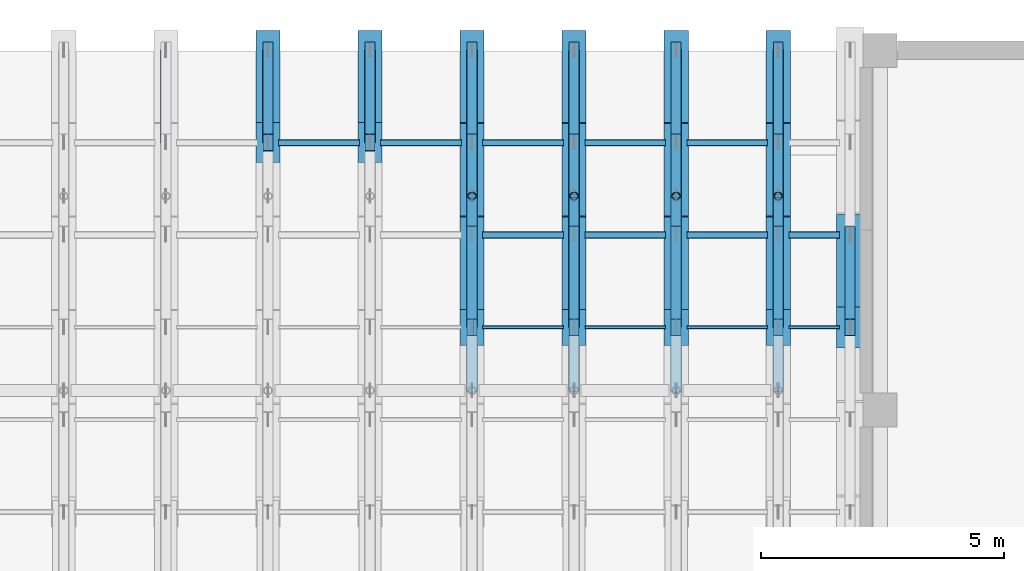
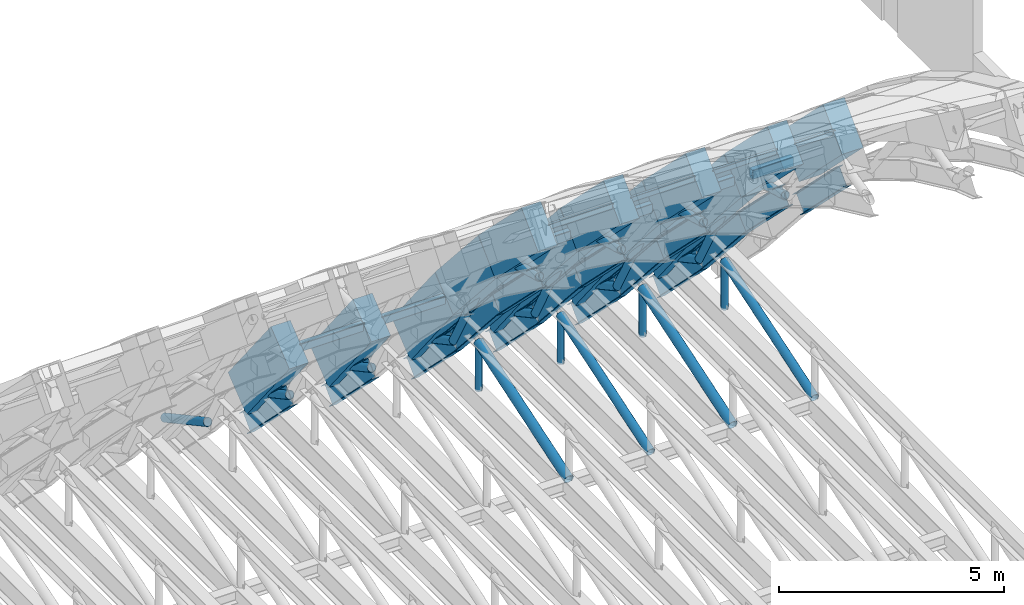
# One storey, part 48 of 67: 36 members, 30 beams.
"""IFC4 building model written with IfcOpenShell, lengths in metres."""

from ifc_helpers import new_model, si_unit, direction, frame, origin, origin_2d, place, context, subcontext, project, spatial, rectangle, hollow_rectangle, hollow_circle, i_section, extrude, material, material_profile, profile_set, type_object, element, save


model = new_model("IFC4")

# Units and contexts
model_context = context("Model", 3, precision=1e-05, world=origin(), true_north=direction((0.0, 1.0)))
body_context = subcontext(model_context, "Body", "Model", "MODEL_VIEW")
ifc_project = project(units=[si_unit("LENGTHUNIT", "METRE"), si_unit("AREAUNIT", "SQUARE_METRE"), si_unit("VOLUMEUNIT", "CUBIC_METRE"), si_unit("PLANEANGLEUNIT", "RADIAN"), si_unit("MASSUNIT", "GRAM", prefix="KILO")], contexts=[model_context])

# Site, building, storey
site_placement = place(None, origin())
site = spatial("IfcSite", under=ifc_project, at=site_placement, CompositionType="ELEMENT")
building_placement = place(site_placement, origin())
building = spatial("IfcBuilding", under=site, at=building_placement, Name="Shengluoqiao Park Theatre", CompositionType="ELEMENT")
storey_placement = place(building_placement, frame((0.0, 0.0, 28.60009765625)))
storey = spatial("IfcBuildingStorey", under=building, at=storey_placement, Name="Roof", CompositionType="ELEMENT", Elevation=28.60009765625)

# Beams
ifc_material_1 = material(Name="Concrete C50", Category="concrete")
ifc_material_profile_1 = material_profile(ifc_material_1, rectangle(XDim=0.5, YDim=1.050048828125, at=origin_2d()), Name="RC ARCH 500x1050")
ifc_profile_set_1 = profile_set([ifc_material_profile_1], Name="Concrete C50")
beam_type_1 = type_object("IfcBeamType", Name="STR-BM-AR-5010", PredefinedType="BEAM", material=ifc_profile_set_1)
for number, where, z_axis, x_axis, name in (
    (1, (73.800048828125, 112.10009765625, -7.6259765625), (0.0, 0.621631409309, -0.783309894588), (-1.0, 0.0, 0.0), "Barrel-Shell Arch Rib R15-S20"),
    (2, (75.89990234375, 112.10009765625, -7.6259765625), (0.0, 0.621631409309, -0.783309894588), (-1.0, 0.0, 0.0), "Barrel-Shell Arch Rib R16-S20"),
):
    element("IfcBeam", number, at=place(storey_placement, frame(where, z_axis=z_axis, x_axis=x_axis)), inside=storey, type_object=beam_type_1, Name=name, PredefinedType="BEAM", context=body_context, shape_type="SweptSolid", body=[
        extrude(rectangle(XDim=0.5, YDim=1.050048828125, at=origin_2d()), origin(), (0.0, 0.0, 1.0), 3.056396484375),
    ])
beam_1_placement = place(storey_placement, frame((78.0, 108.300048828125, -3.593994140625), z_axis=(0.0, 0.708926398432, -0.705282469373), x_axis=(-1.0, 0.0, 0.0)))
element("IfcBeam", 3, at=beam_1_placement, inside=storey, type_object=beam_type_1, Name="Barrel-Shell Arch Rib R17-S18", PredefinedType="BEAM", context=body_context, shape_type="SweptSolid", body=[
    extrude(rectangle(XDim=0.5, YDim=1.050048828125, at=origin_2d()), origin(), (0.0, 0.0, 1.0), 2.679931640625),
])
beam_2_placement = place(storey_placement, frame((78.0, 110.199951171875, -5.484130859375), z_axis=(0.0, 0.663638456789, -0.748053473136), x_axis=(-1.0, 0.0, 0.0)))
element("IfcBeam", 4, at=beam_2_placement, inside=storey, type_object=beam_type_1, Name="Barrel-Shell Arch Rib R17-S19", PredefinedType="BEAM", context=body_context, shape_type="SweptSolid", body=[
    extrude(rectangle(XDim=0.5, YDim=1.050048828125, at=origin_2d()), origin(), (0.0, 0.0, 1.0), 2.86328125),
])
beam_3_placement = place(storey_placement, frame((78.0, 112.10009765625, -7.6259765625), z_axis=(0.0, 0.621631409309, -0.783309894588), x_axis=(-1.0, 0.0, 0.0)))
element("IfcBeam", 5, at=beam_3_placement, inside=storey, type_object=beam_type_1, Name="Barrel-Shell Arch Rib R17-S20", PredefinedType="BEAM", context=body_context, shape_type="SweptSolid", body=[
    extrude(rectangle(XDim=0.5, YDim=1.050048828125, at=origin_2d()), origin(), (0.0, 0.0, 1.0), 3.056396484375),
])
beam_4_placement = place(storey_placement, frame((80.10009765625, 108.300048828125, -3.593994140625), z_axis=(0.0, 0.708926398432, -0.705282469373), x_axis=(-1.0, 0.0, 0.0)))
element("IfcBeam", 6, at=beam_4_placement, inside=storey, type_object=beam_type_1, Name="Barrel-Shell Arch Rib R18-S18", PredefinedType="BEAM", context=body_context, shape_type="SweptSolid", body=[
    extrude(rectangle(XDim=0.5, YDim=1.050048828125, at=origin_2d()), origin(), (0.0, 0.0, 1.0), 2.679931640625),
])
beam_5_placement = place(storey_placement, frame((80.10009765625, 110.199951171875, -5.484130859375), z_axis=(0.0, 0.663638456789, -0.748053473136), x_axis=(-1.0, 0.0, 0.0)))
element("IfcBeam", 7, at=beam_5_placement, inside=storey, type_object=beam_type_1, Name="Barrel-Shell Arch Rib R18-S19", PredefinedType="BEAM", context=body_context, shape_type="SweptSolid", body=[
    extrude(rectangle(XDim=0.5, YDim=1.050048828125, at=origin_2d()), origin(), (0.0, 0.0, 1.0), 2.86328125),
])
beam_6_placement = place(storey_placement, frame((80.10009765625, 112.10009765625, -7.6259765625), z_axis=(0.0, 0.621631409309, -0.783309894588), x_axis=(-1.0, 0.0, 0.0)))
element("IfcBeam", 8, at=beam_6_placement, inside=storey, type_object=beam_type_1, Name="Barrel-Shell Arch Rib R18-S20", PredefinedType="BEAM", context=body_context, shape_type="SweptSolid", body=[
    extrude(rectangle(XDim=0.5, YDim=1.050048828125, at=origin_2d()), origin(), (0.0, 0.0, 1.0), 3.056396484375),
])
beam_7_placement = place(storey_placement, frame((82.199951171875, 108.300048828125, -3.593994140625), z_axis=(0.0, 0.708926398432, -0.705282469373), x_axis=(-1.0, 0.0, 0.0)))
element("IfcBeam", 9, at=beam_7_placement, inside=storey, type_object=beam_type_1, Name="Barrel-Shell Arch Rib R19-S18", PredefinedType="BEAM", context=body_context, shape_type="SweptSolid", body=[
    extrude(rectangle(XDim=0.5, YDim=1.050048828125, at=origin_2d()), origin(), (0.0, 0.0, 1.0), 2.679931640625),
])
beam_8_placement = place(storey_placement, frame((82.199951171875, 110.199951171875, -5.484130859375), z_axis=(0.0, 0.663638456789, -0.748053473136), x_axis=(-1.0, 0.0, 0.0)))
element("IfcBeam", 10, at=beam_8_placement, inside=storey, type_object=beam_type_1, Name="Barrel-Shell Arch Rib R19-S19", PredefinedType="BEAM", context=body_context, shape_type="SweptSolid", body=[
    extrude(rectangle(XDim=0.5, YDim=1.050048828125, at=origin_2d()), origin(), (0.0, 0.0, 1.0), 2.86328125),
])
beam_9_placement = place(storey_placement, frame((82.199951171875, 112.10009765625, -7.6259765625), z_axis=(0.0, 0.621631409309, -0.783309894588), x_axis=(-1.0, 0.0, 0.0)))
element("IfcBeam", 11, at=beam_9_placement, inside=storey, type_object=beam_type_1, Name="Barrel-Shell Arch Rib R19-S20", PredefinedType="BEAM", context=body_context, shape_type="SweptSolid", body=[
    extrude(rectangle(XDim=0.5, YDim=1.050048828125, at=origin_2d()), origin(), (0.0, 0.0, 1.0), 3.056396484375),
])
beam_10_placement = place(storey_placement, frame((84.300048828125, 108.300048828125, -3.593994140625), z_axis=(0.0, 0.708926398432, -0.705282469373), x_axis=(-1.0, 0.0, 0.0)))
element("IfcBeam", 12, at=beam_10_placement, inside=storey, type_object=beam_type_1, Name="Barrel-Shell Arch Rib R20-S18", PredefinedType="BEAM", context=body_context, shape_type="SweptSolid", body=[
    extrude(rectangle(XDim=0.5, YDim=1.050048828125, at=origin_2d()), origin(), (0.0, 0.0, 1.0), 2.679931640625),
])
beam_11_placement = place(storey_placement, frame((84.300048828125, 110.199951171875, -5.484130859375), z_axis=(0.0, 0.663638456789, -0.748053473136), x_axis=(-1.0, 0.0, 0.0)))
element("IfcBeam", 13, at=beam_11_placement, inside=storey, type_object=beam_type_1, Name="Barrel-Shell Arch Rib R20-S19", PredefinedType="BEAM", context=body_context, shape_type="SweptSolid", body=[
    extrude(rectangle(XDim=0.5, YDim=1.050048828125, at=origin_2d()), origin(), (0.0, 0.0, 1.0), 2.86328125),
])
beam_12_placement = place(storey_placement, frame((84.300048828125, 112.10009765625, -7.6259765625), z_axis=(0.0, 0.621631409309, -0.783309894588), x_axis=(-1.0, 0.0, 0.0)))
element("IfcBeam", 14, at=beam_12_placement, inside=storey, type_object=beam_type_1, Name="Barrel-Shell Arch Rib R20-S20", PredefinedType="BEAM", context=body_context, shape_type="SweptSolid", body=[
    extrude(rectangle(XDim=0.5, YDim=1.050048828125, at=origin_2d()), origin(), (0.0, 0.0, 1.0), 3.056396484375),
])
ifc_material_profile_2 = material_profile(ifc_material_1, rectangle(XDim=0.550048828125, YDim=1.199951171875, at=origin_2d()), Name="RC ARCH 550x1200")
ifc_profile_set_2 = profile_set([ifc_material_profile_2], Name="Concrete C50")
beam_type_2 = type_object("IfcBeamType", Name="STR-BM-AR-5512", PredefinedType="BEAM", material=ifc_profile_set_2)
beam_13_placement = place(storey_placement, frame((85.780029296875, 108.300048828125, -3.593994140625), z_axis=(0.0, 0.708926398432, -0.705282469373), x_axis=(-1.0, 0.0, 0.0)))
element("IfcBeam", 15, at=beam_13_placement, inside=storey, type_object=beam_type_2, Name="Barrel-Shell Arch Rib R21-S18", PredefinedType="BEAM", context=body_context, shape_type="SweptSolid", body=[
    extrude(rectangle(XDim=0.550048828125, YDim=1.199951171875, at=origin_2d()), origin(), (0.0, 0.0, 1.0), 2.679931640625),
])
ifc_material_2 = material(Name="Steel Q355", Category="steel")
ifc_material_profile_3 = material_profile(ifc_material_2, i_section(OverallWidth=0.199951171875, OverallDepth=0.5, WebThickness=0.010009765625, FlangeThickness=0.01611328125, FilletRadius=0.01806640625, at=origin_2d()), Name="HN 500x200x10x16")
ifc_profile_set_3 = profile_set([ifc_material_profile_3], Name="Steel Q355")
beam_type_3 = type_object("IfcBeamType", Name="STR-BM-J-HN500", PredefinedType="JOIST", material=ifc_profile_set_3)
for number, where, z_axis, x_axis, name in (
    (16, (73.800048828125, 112.10009765625, -8.986083984375), (0.0, 0.708197993403, -0.706013882398), (-1.0, 0.0, 0.0), "Barrel-Shell Lower Arch Chord R15-S20"),
    (17, (75.89990234375, 112.10009765625, -8.986083984375), (0.0, 0.708197993403, -0.706013882398), (-1.0, 0.0, 0.0), "Barrel-Shell Lower Arch Chord R16-S20"),
):
    element("IfcBeam", number, at=place(storey_placement, frame(where, z_axis=z_axis, x_axis=x_axis)), inside=storey, type_object=beam_type_3, Name=name, PredefinedType="JOIST", context=body_context, shape_type="SweptSolid", body=[
        extrude(i_section(OverallWidth=0.199951171875, OverallDepth=0.5, WebThickness=0.010009765625, FlangeThickness=0.01611328125, FilletRadius=0.01806640625, at=origin_2d()), origin(), (0.0, 0.0, 1.0), 2.6826171875),
    ])
beam_14_placement = place(storey_placement, frame((78.0, 108.300048828125, -4.9541015625), z_axis=(0.0, 0.708971948389, -0.70523668112), x_axis=(-1.0, 0.0, 0.0)))
element("IfcBeam", 18, at=beam_14_placement, inside=storey, type_object=beam_type_3, Name="Barrel-Shell Lower Arch Chord R17-S18", PredefinedType="JOIST", context=body_context, shape_type="SweptSolid", body=[
    extrude(i_section(OverallWidth=0.199951171875, OverallDepth=0.5, WebThickness=0.010009765625, FlangeThickness=0.01611328125, FilletRadius=0.01806640625, at=origin_2d()), origin(), (0.0, 0.0, 1.0), 2.6796875),
])
beam_15_placement = place(storey_placement, frame((78.0, 110.199951171875, -6.843994140625), z_axis=(0.0, 0.663596128385, -0.748091022799), x_axis=(-1.0, 0.0, 0.0)))
element("IfcBeam", 19, at=beam_15_placement, inside=storey, type_object=beam_type_3, Name="Barrel-Shell Lower Arch Chord R17-S19", PredefinedType="JOIST", context=body_context, shape_type="SweptSolid", body=[
    extrude(i_section(OverallWidth=0.199951171875, OverallDepth=0.5, WebThickness=0.010009765625, FlangeThickness=0.01611328125, FilletRadius=0.01806640625, at=origin_2d()), origin(), (0.0, 0.0, 1.0), 2.863525390625),
])
beam_16_placement = place(storey_placement, frame((78.0, 112.10009765625, -8.986083984375), z_axis=(0.0, 0.708197993403, -0.706013882398), x_axis=(-1.0, 0.0, 0.0)))
element("IfcBeam", 20, at=beam_16_placement, inside=storey, type_object=beam_type_3, Name="Barrel-Shell Lower Arch Chord R17-S20", PredefinedType="JOIST", context=body_context, shape_type="SweptSolid", body=[
    extrude(i_section(OverallWidth=0.199951171875, OverallDepth=0.5, WebThickness=0.010009765625, FlangeThickness=0.01611328125, FilletRadius=0.01806640625, at=origin_2d()), origin(), (0.0, 0.0, 1.0), 2.6826171875),
])
beam_17_placement = place(storey_placement, frame((80.10009765625, 108.300048828125, -4.9541015625), z_axis=(0.0, 0.708971948389, -0.70523668112), x_axis=(-1.0, 0.0, 0.0)))
element("IfcBeam", 21, at=beam_17_placement, inside=storey, type_object=beam_type_3, Name="Barrel-Shell Lower Arch Chord R18-S18", PredefinedType="JOIST", context=body_context, shape_type="SweptSolid", body=[
    extrude(i_section(OverallWidth=0.199951171875, OverallDepth=0.5, WebThickness=0.010009765625, FlangeThickness=0.01611328125, FilletRadius=0.01806640625, at=origin_2d()), origin(), (0.0, 0.0, 1.0), 2.6796875),
])
beam_18_placement = place(storey_placement, frame((80.10009765625, 110.199951171875, -6.843994140625), z_axis=(0.0, 0.663596128385, -0.748091022799), x_axis=(-1.0, 0.0, 0.0)))
element("IfcBeam", 22, at=beam_18_placement, inside=storey, type_object=beam_type_3, Name="Barrel-Shell Lower Arch Chord R18-S19", PredefinedType="JOIST", context=body_context, shape_type="SweptSolid", body=[
    extrude(i_section(OverallWidth=0.199951171875, OverallDepth=0.5, WebThickness=0.010009765625, FlangeThickness=0.01611328125, FilletRadius=0.01806640625, at=origin_2d()), origin(), (0.0, 0.0, 1.0), 2.863525390625),
])
beam_19_placement = place(storey_placement, frame((80.10009765625, 112.10009765625, -8.986083984375), z_axis=(0.0, 0.708197993403, -0.706013882398), x_axis=(-1.0, 0.0, 0.0)))
element("IfcBeam", 23, at=beam_19_placement, inside=storey, type_object=beam_type_3, Name="Barrel-Shell Lower Arch Chord R18-S20", PredefinedType="JOIST", context=body_context, shape_type="SweptSolid", body=[
    extrude(i_section(OverallWidth=0.199951171875, OverallDepth=0.5, WebThickness=0.010009765625, FlangeThickness=0.01611328125, FilletRadius=0.01806640625, at=origin_2d()), origin(), (0.0, 0.0, 1.0), 2.6826171875),
])
beam_20_placement = place(storey_placement, frame((82.199951171875, 108.300048828125, -4.9541015625), z_axis=(0.0, 0.708971948389, -0.70523668112), x_axis=(-1.0, 0.0, 0.0)))
element("IfcBeam", 24, at=beam_20_placement, inside=storey, type_object=beam_type_3, Name="Barrel-Shell Lower Arch Chord R19-S18", PredefinedType="JOIST", context=body_context, shape_type="SweptSolid", body=[
    extrude(i_section(OverallWidth=0.199951171875, OverallDepth=0.5, WebThickness=0.010009765625, FlangeThickness=0.01611328125, FilletRadius=0.01806640625, at=origin_2d()), origin(), (0.0, 0.0, 1.0), 2.6796875),
])
beam_21_placement = place(storey_placement, frame((82.199951171875, 110.199951171875, -6.843994140625), z_axis=(0.0, 0.663596128385, -0.748091022799), x_axis=(-1.0, 0.0, 0.0)))
element("IfcBeam", 25, at=beam_21_placement, inside=storey, type_object=beam_type_3, Name="Barrel-Shell Lower Arch Chord R19-S19", PredefinedType="JOIST", context=body_context, shape_type="SweptSolid", body=[
    extrude(i_section(OverallWidth=0.199951171875, OverallDepth=0.5, WebThickness=0.010009765625, FlangeThickness=0.01611328125, FilletRadius=0.01806640625, at=origin_2d()), origin(), (0.0, 0.0, 1.0), 2.863525390625),
])
beam_22_placement = place(storey_placement, frame((82.199951171875, 112.10009765625, -8.986083984375), z_axis=(0.0, 0.708197993403, -0.706013882398), x_axis=(-1.0, 0.0, 0.0)))
element("IfcBeam", 26, at=beam_22_placement, inside=storey, type_object=beam_type_3, Name="Barrel-Shell Lower Arch Chord R19-S20", PredefinedType="JOIST", context=body_context, shape_type="SweptSolid", body=[
    extrude(i_section(OverallWidth=0.199951171875, OverallDepth=0.5, WebThickness=0.010009765625, FlangeThickness=0.01611328125, FilletRadius=0.01806640625, at=origin_2d()), origin(), (0.0, 0.0, 1.0), 2.6826171875),
])
beam_23_placement = place(storey_placement, frame((84.300048828125, 108.300048828125, -4.9541015625), z_axis=(0.0, 0.708971948389, -0.70523668112), x_axis=(-1.0, 0.0, 0.0)))
element("IfcBeam", 27, at=beam_23_placement, inside=storey, type_object=beam_type_3, Name="Barrel-Shell Lower Arch Chord R20-S18", PredefinedType="JOIST", context=body_context, shape_type="SweptSolid", body=[
    extrude(i_section(OverallWidth=0.199951171875, OverallDepth=0.5, WebThickness=0.010009765625, FlangeThickness=0.01611328125, FilletRadius=0.01806640625, at=origin_2d()), origin(), (0.0, 0.0, 1.0), 2.6796875),
])
beam_24_placement = place(storey_placement, frame((84.300048828125, 110.199951171875, -6.843994140625), z_axis=(0.0, 0.663596128385, -0.748091022799), x_axis=(-1.0, 0.0, 0.0)))
element("IfcBeam", 28, at=beam_24_placement, inside=storey, type_object=beam_type_3, Name="Barrel-Shell Lower Arch Chord R20-S19", PredefinedType="JOIST", context=body_context, shape_type="SweptSolid", body=[
    extrude(i_section(OverallWidth=0.199951171875, OverallDepth=0.5, WebThickness=0.010009765625, FlangeThickness=0.01611328125, FilletRadius=0.01806640625, at=origin_2d()), origin(), (0.0, 0.0, 1.0), 2.863525390625),
])
beam_25_placement = place(storey_placement, frame((84.300048828125, 112.10009765625, -8.986083984375), z_axis=(0.0, 0.708197993403, -0.706013882398), x_axis=(-1.0, 0.0, 0.0)))
element("IfcBeam", 29, at=beam_25_placement, inside=storey, type_object=beam_type_3, Name="Barrel-Shell Lower Arch Chord R20-S20", PredefinedType="JOIST", context=body_context, shape_type="SweptSolid", body=[
    extrude(i_section(OverallWidth=0.199951171875, OverallDepth=0.5, WebThickness=0.010009765625, FlangeThickness=0.01611328125, FilletRadius=0.01806640625, at=origin_2d()), origin(), (0.0, 0.0, 1.0), 2.6826171875),
])
beam_26_placement = place(storey_placement, frame((85.780029296875, 108.300048828125, -4.9541015625), z_axis=(0.0, 0.708971948389, -0.70523668112), x_axis=(-1.0, 0.0, 0.0)))
element("IfcBeam", 30, at=beam_26_placement, inside=storey, type_object=beam_type_3, Name="Barrel-Shell Lower Arch Chord R21-S18", PredefinedType="JOIST", context=body_context, shape_type="SweptSolid", body=[
    extrude(i_section(OverallWidth=0.199951171875, OverallDepth=0.5, WebThickness=0.010009765625, FlangeThickness=0.01611328125, FilletRadius=0.01806640625, at=origin_2d()), origin(), (0.0, 0.0, 1.0), 2.6796875),
])

# Members
ifc_material_profile_4 = material_profile(ifc_material_2, hollow_circle(Radius=0.109619140625, WallThickness=0.010009765625, at=origin_2d()), Name="CHS 219x10")
ifc_profile_set_4 = profile_set([ifc_material_profile_4], Name="Steel Q355")
member_type_1 = type_object("IfcMemberType", Name="STR-MEM-BRC-219", PredefinedType="BRACE", material=ifc_profile_set_4)
for number, where, z_axis, x_axis, name in (
    (31, (71.699951171875, 112.10009765625, -8.986083984375), (0.0, 0.878356711208, -0.478005740422), (-1.0, 0.0, 0.0), "Barrel-Shell Arch Truss Web 0280"),
    (32, (73.800048828125, 112.10009765625, -8.986083984375), (0.0, 0.878356711208, -0.478005740422), (-1.0, 0.0, 0.0), "Barrel-Shell Arch Truss Web 0300"),
    (33, (75.89990234375, 112.10009765625, -8.986083984375), (0.0, 0.878356711208, -0.478005740422), (-1.0, 0.0, 0.0), "Barrel-Shell Arch Truss Web 0320"),
):
    element("IfcMember", number, at=place(storey_placement, frame(where, z_axis=z_axis, x_axis=x_axis)), inside=storey, type_object=member_type_1, Name=name, PredefinedType="BRACE", context=body_context, shape_type="SweptSolid", body=[
        extrude(hollow_circle(Radius=0.109619140625, WallThickness=0.010009765625, at=origin_2d()), origin(), (0.0, 0.0, 1.0), 2.1630859375),
    ])
member_1_placement = place(storey_placement, frame((78.0, 108.300048828125, -4.9541015625), z_axis=(0.0, 0.963219400843, -0.268716180831), x_axis=(-1.0, 0.0, 0.0)))
element("IfcMember", 34, at=member_1_placement, inside=storey, type_object=member_type_1, Name="Barrel-Shell Arch Truss Web 0338", PredefinedType="BRACE", context=body_context, shape_type="SweptSolid", body=[
    extrude(hollow_circle(Radius=0.109619140625, WallThickness=0.010009765625, at=origin_2d()), origin(), (0.0, 0.0, 1.0), 1.972412109375),
])
member_2_placement = place(storey_placement, frame((78.0, 110.199951171875, -5.484130859375), z_axis=(0.0, 0.476914707828, -0.87894957845), x_axis=(-1.0, 0.0, 0.0)))
element("IfcMember", 35, at=member_2_placement, inside=storey, type_object=member_type_1, Name="Barrel-Shell Arch Truss Web 0339", PredefinedType="BRACE", context=body_context, shape_type="SweptSolid", body=[
    extrude(hollow_circle(Radius=0.109619140625, WallThickness=0.010009765625, at=origin_2d()), origin(), (0.0, 0.0, 1.0), 3.984130859375),
])
member_3_placement = place(storey_placement, frame((78.0, 112.10009765625, -8.986083984375), z_axis=(0.0, 0.878356711208, -0.478005740422), x_axis=(-1.0, 0.0, 0.0)))
element("IfcMember", 36, at=member_3_placement, inside=storey, type_object=member_type_1, Name="Barrel-Shell Arch Truss Web 0340", PredefinedType="BRACE", context=body_context, shape_type="SweptSolid", body=[
    extrude(hollow_circle(Radius=0.109619140625, WallThickness=0.010009765625, at=origin_2d()), origin(), (0.0, 0.0, 1.0), 2.1630859375),
])
member_4_placement = place(storey_placement, frame((80.10009765625, 108.300048828125, -4.9541015625), z_axis=(0.0, 0.963219400843, -0.268716180831), x_axis=(-1.0, 0.0, 0.0)))
element("IfcMember", 37, at=member_4_placement, inside=storey, type_object=member_type_1, Name="Barrel-Shell Arch Truss Web 0358", PredefinedType="BRACE", context=body_context, shape_type="SweptSolid", body=[
    extrude(hollow_circle(Radius=0.109619140625, WallThickness=0.010009765625, at=origin_2d()), origin(), (0.0, 0.0, 1.0), 1.972412109375),
])
member_5_placement = place(storey_placement, frame((80.10009765625, 110.199951171875, -5.484130859375), z_axis=(0.0, 0.476914707828, -0.87894957845), x_axis=(-1.0, 0.0, 0.0)))
element("IfcMember", 38, at=member_5_placement, inside=storey, type_object=member_type_1, Name="Barrel-Shell Arch Truss Web 0359", PredefinedType="BRACE", context=body_context, shape_type="SweptSolid", body=[
    extrude(hollow_circle(Radius=0.109619140625, WallThickness=0.010009765625, at=origin_2d()), origin(), (0.0, 0.0, 1.0), 3.984130859375),
])
member_6_placement = place(storey_placement, frame((80.10009765625, 112.10009765625, -8.986083984375), z_axis=(0.0, 0.878356711208, -0.478005740422), x_axis=(-1.0, 0.0, 0.0)))
element("IfcMember", 39, at=member_6_placement, inside=storey, type_object=member_type_1, Name="Barrel-Shell Arch Truss Web 0360", PredefinedType="BRACE", context=body_context, shape_type="SweptSolid", body=[
    extrude(hollow_circle(Radius=0.109619140625, WallThickness=0.010009765625, at=origin_2d()), origin(), (0.0, 0.0, 1.0), 2.1630859375),
])
member_7_placement = place(storey_placement, frame((82.199951171875, 108.300048828125, -4.9541015625), z_axis=(0.0, 0.963219400843, -0.268716180831), x_axis=(-1.0, 0.0, 0.0)))
element("IfcMember", 40, at=member_7_placement, inside=storey, type_object=member_type_1, Name="Barrel-Shell Arch Truss Web 0378", PredefinedType="BRACE", context=body_context, shape_type="SweptSolid", body=[
    extrude(hollow_circle(Radius=0.109619140625, WallThickness=0.010009765625, at=origin_2d()), origin(), (0.0, 0.0, 1.0), 1.972412109375),
])
member_8_placement = place(storey_placement, frame((82.199951171875, 110.199951171875, -5.484130859375), z_axis=(0.0, 0.476914707828, -0.87894957845), x_axis=(-1.0, 0.0, 0.0)))
element("IfcMember", 41, at=member_8_placement, inside=storey, type_object=member_type_1, Name="Barrel-Shell Arch Truss Web 0379", PredefinedType="BRACE", context=body_context, shape_type="SweptSolid", body=[
    extrude(hollow_circle(Radius=0.109619140625, WallThickness=0.010009765625, at=origin_2d()), origin(), (0.0, 0.0, 1.0), 3.984130859375),
])
member_9_placement = place(storey_placement, frame((82.199951171875, 112.10009765625, -8.986083984375), z_axis=(0.0, 0.878356711208, -0.478005740422), x_axis=(-1.0, 0.0, 0.0)))
element("IfcMember", 42, at=member_9_placement, inside=storey, type_object=member_type_1, Name="Barrel-Shell Arch Truss Web 0380", PredefinedType="BRACE", context=body_context, shape_type="SweptSolid", body=[
    extrude(hollow_circle(Radius=0.109619140625, WallThickness=0.010009765625, at=origin_2d()), origin(), (0.0, 0.0, 1.0), 2.1630859375),
])
member_10_placement = place(storey_placement, frame((84.300048828125, 108.300048828125, -4.9541015625), z_axis=(0.0, 0.963219400843, -0.268716180831), x_axis=(-1.0, 0.0, 0.0)))
element("IfcMember", 43, at=member_10_placement, inside=storey, type_object=member_type_1, Name="Barrel-Shell Arch Truss Web 0398", PredefinedType="BRACE", context=body_context, shape_type="SweptSolid", body=[
    extrude(hollow_circle(Radius=0.109619140625, WallThickness=0.010009765625, at=origin_2d()), origin(), (0.0, 0.0, 1.0), 1.972412109375),
])
member_11_placement = place(storey_placement, frame((84.300048828125, 110.199951171875, -5.484130859375), z_axis=(0.0, 0.476914707828, -0.87894957845), x_axis=(-1.0, 0.0, 0.0)))
element("IfcMember", 44, at=member_11_placement, inside=storey, type_object=member_type_1, Name="Barrel-Shell Arch Truss Web 0399", PredefinedType="BRACE", context=body_context, shape_type="SweptSolid", body=[
    extrude(hollow_circle(Radius=0.109619140625, WallThickness=0.010009765625, at=origin_2d()), origin(), (0.0, 0.0, 1.0), 3.984130859375),
])
member_12_placement = place(storey_placement, frame((84.300048828125, 112.10009765625, -8.986083984375), z_axis=(0.0, 0.878356711208, -0.478005740422), x_axis=(-1.0, 0.0, 0.0)))
element("IfcMember", 45, at=member_12_placement, inside=storey, type_object=member_type_1, Name="Barrel-Shell Arch Truss Web 0400", PredefinedType="BRACE", context=body_context, shape_type="SweptSolid", body=[
    extrude(hollow_circle(Radius=0.109619140625, WallThickness=0.010009765625, at=origin_2d()), origin(), (0.0, 0.0, 1.0), 2.1630859375),
])
for number, where, z_axis, x_axis, name in (
    (46, (80.10009765625, 107.0, -9.650146484375), (0.0, 0.951030656115, 0.309096572498), (-1.0, 0.0, 0.0), "Acoustic Tie Truss Diagonal 0153"),
    (47, (84.300048828125, 107.0, -9.650146484375), (0.0, 0.951030656115, 0.309096572498), (-1.0, 0.0, 0.0), "Acoustic Tie Truss Diagonal 0187"),
):
    element("IfcMember", number, at=place(storey_placement, frame(where, z_axis=z_axis, x_axis=x_axis)), inside=storey, type_object=member_type_1, Name=name, PredefinedType="BRACE", context=body_context, shape_type="SweptSolid", body=[
        extrude(hollow_circle(Radius=0.109619140625, WallThickness=0.010009765625, at=origin_2d()), origin(), (0.0, 0.0, 1.0), 4.2060546875),
    ])
ifc_material_profile_5 = material_profile(ifc_material_2, hollow_circle(Radius=0.12255859375, WallThickness=0.010009765625, at=origin_2d()), Name="CHS 245x10")
ifc_profile_set_5 = profile_set([ifc_material_profile_5], Name="Steel Q355")
member_type_2 = type_object("IfcMemberType", Name="STR-MEM-BRC-245", PredefinedType="BRACE", material=ifc_profile_set_5)
for number, where, z_axis, x_axis, name in (
    (48, (78.0, 107.0, -9.650146484375), (0.0, 0.951030656115, 0.309096572498), (-1.0, 0.0, 0.0), "Acoustic Tie Truss Diagonal 0136"),
    (49, (82.199951171875, 107.0, -9.650146484375), (0.0, 0.951030656115, 0.309096572498), (-1.0, 0.0, 0.0), "Acoustic Tie Truss Diagonal 0170"),
):
    element("IfcMember", number, at=place(storey_placement, frame(where, z_axis=z_axis, x_axis=x_axis)), inside=storey, type_object=member_type_2, Name=name, PredefinedType="BRACE", context=body_context, shape_type="SweptSolid", body=[
        extrude(hollow_circle(Radius=0.12255859375, WallThickness=0.010009765625, at=origin_2d()), origin(), (0.0, 0.0, 1.0), 4.2060546875),
    ])
ifc_material_profile_6 = material_profile(ifc_material_2, hollow_rectangle(XDim=0.070068359375, YDim=0.139892578125, WallThickness=0.006103515625, InnerFilletRadius=0.006103515625, OuterFilletRadius=0.011962890625, at=origin_2d()), Name="RHS 140x70x6")
ifc_profile_set_6 = profile_set([ifc_material_profile_6], Name="Steel Q355")
member_type_3 = type_object("IfcMemberType", Name="STR-MEM-PU-R140", PredefinedType="PURLIN", material=ifc_profile_set_6)
for number, where, z_axis, x_axis, name in (
    (50, (78.219970703125, 108.300048828125, -3.674072265625), (1.0, 0.0, 0.0), (0.0, 1.0, 0.0), "Shell Longitudinal Purlin 0321"),
    (51, (80.320068359375, 108.300048828125, -3.674072265625), (1.0, 0.0, 0.0), (0.0, 1.0, 0.0), "Shell Longitudinal Purlin 0340"),
):
    element("IfcMember", number, at=place(storey_placement, frame(where, z_axis=z_axis, x_axis=x_axis)), inside=storey, type_object=member_type_3, Name=name, PredefinedType="PURLIN", context=body_context, shape_type="SweptSolid", body=[
        extrude(hollow_rectangle(XDim=0.070068359375, YDim=0.139892578125, WallThickness=0.006103515625, InnerFilletRadius=0.006103515625, OuterFilletRadius=0.011962890625, at=origin_2d()), origin(), (0.0, 0.0, 1.0), 1.659912109375),
    ])
member_13_placement = place(storey_placement, frame((82.419921875, 108.300048828125, -3.674072265625), z_axis=(1.0, 0.0, 0.0), x_axis=(0.0, 1.0, 0.0)))
element("IfcMember", 52, at=member_13_placement, inside=storey, type_object=member_type_3, Name="Shell Longitudinal Purlin 0359", PredefinedType="PURLIN", context=body_context, shape_type="SweptSolid", body=[
    extrude(hollow_rectangle(XDim=0.070068359375, YDim=0.139892578125, WallThickness=0.006103515625, InnerFilletRadius=0.006103515625, OuterFilletRadius=0.011962890625, at=origin_2d()), origin(), (0.0, 0.0, 1.0), 1.66015625),
])
member_14_placement = place(storey_placement, frame((84.52001953125, 108.300048828125, -3.674072265625), z_axis=(1.0, 0.0, 0.0), x_axis=(0.0, 1.0, 0.0)))
element("IfcMember", 53, at=member_14_placement, inside=storey, type_object=member_type_3, Name="Shell Longitudinal Purlin 0378", PredefinedType="PURLIN", context=body_context, shape_type="SweptSolid", body=[
    extrude(hollow_rectangle(XDim=0.070068359375, YDim=0.139892578125, WallThickness=0.006103515625, InnerFilletRadius=0.006103515625, OuterFilletRadius=0.011962890625, at=origin_2d()), origin(), (0.0, 0.0, 1.0), 1.0400390625),
])
ifc_material_profile_7 = material_profile(ifc_material_2, hollow_rectangle(XDim=0.139892578125, YDim=0.219970703125, WallThickness=0.010009765625, InnerFilletRadius=0.010009765625, OuterFilletRadius=0.02001953125, at=origin_2d()), Name="RHS 220x140x10")
ifc_profile_set_7 = profile_set([ifc_material_profile_7], Name="Steel Q355")
member_type_4 = type_object("IfcMemberType", Name="STR-MEM-PU-R220", PredefinedType="PURLIN", material=ifc_profile_set_7)
for number, where, z_axis, x_axis, name in (
    (54, (74.02001953125, 112.10009765625, -7.76611328125), (1.0, 0.0, 0.0), (0.0, 1.0, 0.0), "Shell Longitudinal Purlin 0285"),
    (55, (76.1201171875, 112.10009765625, -7.76611328125), (1.0, 0.0, 0.0), (0.0, 1.0, 0.0), "Shell Longitudinal Purlin 0304"),
    (56, (78.219970703125, 112.10009765625, -7.76611328125), (1.0, 0.0, 0.0), (0.0, 1.0, 0.0), "Shell Longitudinal Purlin 0323"),
    (57, (80.320068359375, 112.10009765625, -7.76611328125), (1.0, 0.0, 0.0), (0.0, 1.0, 0.0), "Shell Longitudinal Purlin 0342"),
):
    element("IfcMember", number, at=place(storey_placement, frame(where, z_axis=z_axis, x_axis=x_axis)), inside=storey, type_object=member_type_4, Name=name, PredefinedType="PURLIN", context=body_context, shape_type="SweptSolid", body=[
        extrude(hollow_rectangle(XDim=0.139892578125, YDim=0.219970703125, WallThickness=0.010009765625, InnerFilletRadius=0.010009765625, OuterFilletRadius=0.02001953125, at=origin_2d()), origin(), (0.0, 0.0, 1.0), 1.659912109375),
    ])
member_15_placement = place(storey_placement, frame((82.419921875, 112.10009765625, -7.76611328125), z_axis=(1.0, 0.0, 0.0), x_axis=(0.0, 1.0, 0.0)))
element("IfcMember", 58, at=member_15_placement, inside=storey, type_object=member_type_4, Name="Shell Longitudinal Purlin 0361", PredefinedType="PURLIN", context=body_context, shape_type="SweptSolid", body=[
    extrude(hollow_rectangle(XDim=0.139892578125, YDim=0.219970703125, WallThickness=0.010009765625, InnerFilletRadius=0.010009765625, OuterFilletRadius=0.02001953125, at=origin_2d()), origin(), (0.0, 0.0, 1.0), 1.66015625),
])
ifc_material_profile_8 = material_profile(ifc_material_2, hollow_rectangle(XDim=0.14990234375, YDim=0.25, WallThickness=0.010009765625, InnerFilletRadius=0.010009765625, OuterFilletRadius=0.02001953125, at=origin_2d()), Name="RHS 250x150x10")
ifc_profile_set_8 = profile_set([ifc_material_profile_8], Name="Steel Q355")
member_type_5 = type_object("IfcMemberType", Name="STR-MEM-PU-R250", PredefinedType="PURLIN", material=ifc_profile_set_8)
for number, where, z_axis, x_axis, name in (
    (59, (78.219970703125, 110.199951171875, -5.593994140625), (1.0, 0.0, 0.0), (0.0, 1.0, 0.0), "Shell Longitudinal Purlin 0322"),
    (60, (80.320068359375, 110.199951171875, -5.593994140625), (1.0, 0.0, 0.0), (0.0, 1.0, 0.0), "Shell Longitudinal Purlin 0341"),
):
    element("IfcMember", number, at=place(storey_placement, frame(where, z_axis=z_axis, x_axis=x_axis)), inside=storey, type_object=member_type_5, Name=name, PredefinedType="PURLIN", context=body_context, shape_type="SweptSolid", body=[
        extrude(hollow_rectangle(XDim=0.14990234375, YDim=0.25, WallThickness=0.010009765625, InnerFilletRadius=0.010009765625, OuterFilletRadius=0.02001953125, at=origin_2d()), origin(), (0.0, 0.0, 1.0), 1.659912109375),
    ])
member_16_placement = place(storey_placement, frame((82.419921875, 110.199951171875, -5.593994140625), z_axis=(1.0, 0.0, 0.0), x_axis=(0.0, 1.0, 0.0)))
element("IfcMember", 61, at=member_16_placement, inside=storey, type_object=member_type_5, Name="Shell Longitudinal Purlin 0360", PredefinedType="PURLIN", context=body_context, shape_type="SweptSolid", body=[
    extrude(hollow_rectangle(XDim=0.14990234375, YDim=0.25, WallThickness=0.010009765625, InnerFilletRadius=0.010009765625, OuterFilletRadius=0.02001953125, at=origin_2d()), origin(), (0.0, 0.0, 1.0), 1.66015625),
])
member_17_placement = place(storey_placement, frame((84.52001953125, 110.199951171875, -5.593994140625), z_axis=(1.0, 0.0, 0.0), x_axis=(0.0, 1.0, 0.0)))
element("IfcMember", 62, at=member_17_placement, inside=storey, type_object=member_type_5, Name="Shell Longitudinal Purlin 0379", PredefinedType="PURLIN", context=body_context, shape_type="SweptSolid", body=[
    extrude(hollow_rectangle(XDim=0.14990234375, YDim=0.25, WallThickness=0.010009765625, InnerFilletRadius=0.010009765625, OuterFilletRadius=0.02001953125, at=origin_2d()), origin(), (0.0, 0.0, 1.0), 1.0400390625),
])
ifc_material_profile_9 = material_profile(ifc_material_2, hollow_circle(Radius=0.083984375, WallThickness=0.008056640625, at=origin_2d()), Name="CHS 168x8")
ifc_profile_set_9 = profile_set([ifc_material_profile_9], Name="Steel Q355")
member_type_6 = type_object("IfcMemberType", Name="STR-MEM-STC-168", PredefinedType="STRUT", material=ifc_profile_set_9)
for number, where, z_axis, x_axis, name in (
    (63, (78.0, 111.0, -9.650146484375), (0.0, 0.0, 1.0), (1.0, 0.0, 0.0), "Acoustic Tie Truss Strut 0128"),
    (64, (80.10009765625, 111.0, -9.650146484375), (0.0, 0.0, 1.0), (1.0, 0.0, 0.0), "Acoustic Tie Truss Strut 0145"),
    (65, (82.199951171875, 111.0, -9.650146484375), (0.0, 0.0, 1.0), (1.0, 0.0, 0.0), "Acoustic Tie Truss Strut 0162"),
    (66, (84.300048828125, 111.0, -9.650146484375), (0.0, 0.0, 1.0), (1.0, 0.0, 0.0), "Acoustic Tie Truss Strut 0179"),
):
    element("IfcMember", number, at=place(storey_placement, frame(where, z_axis=z_axis, x_axis=x_axis)), inside=storey, type_object=member_type_6, Name=name, PredefinedType="STRUT", context=body_context, shape_type="SweptSolid", body=[
        extrude(hollow_circle(Radius=0.083984375, WallThickness=0.008056640625, at=origin_2d()), origin(), (0.0, 0.0, 1.0), 1.300048828125),
    ])

save(model, "model.ifc")
